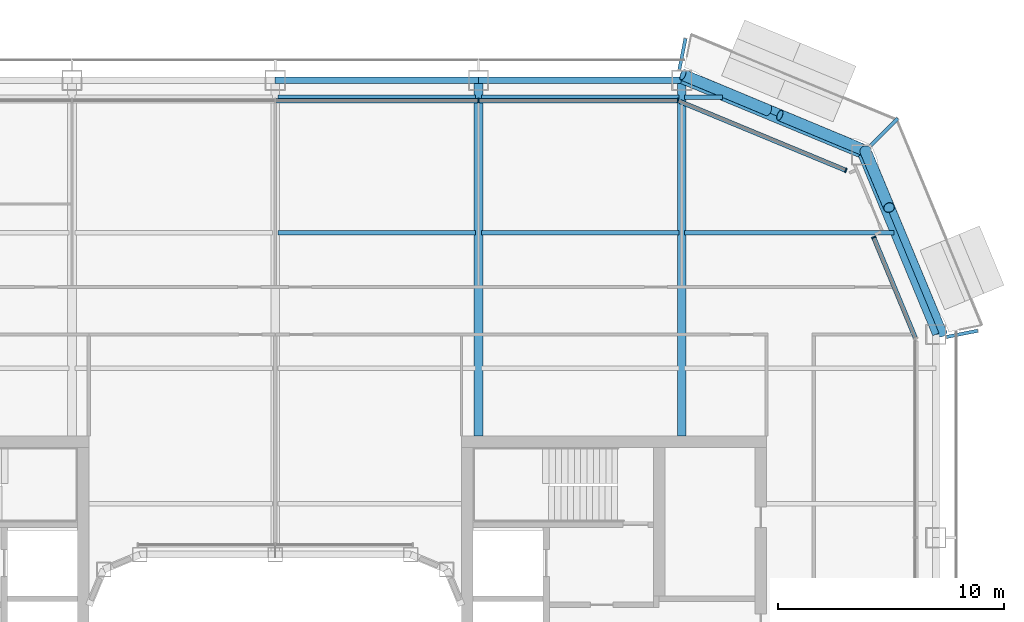
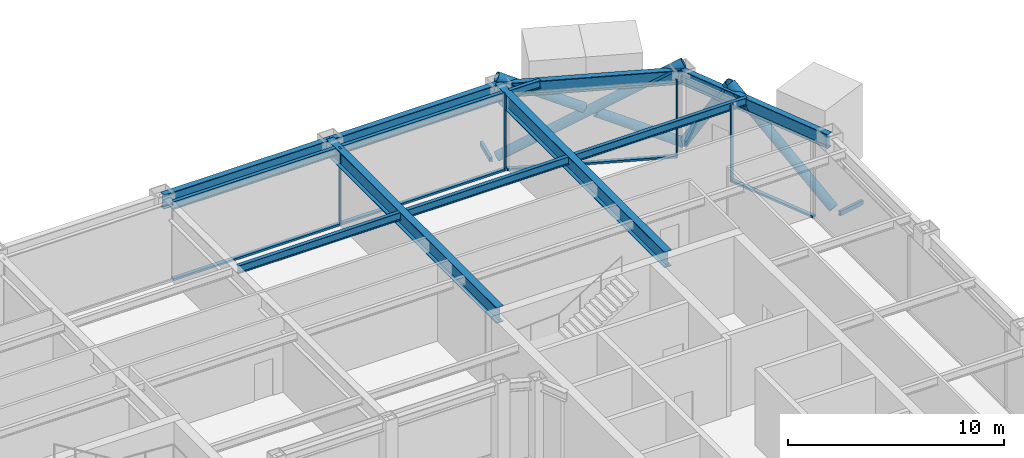
# One storey, part 9 of 23: 15 beams, 13 members, 3 elements without a shape of their own.
"""IFC4 building model written with IfcOpenShell, lengths in metres."""

from ifc_helpers import new_model, si_unit, direction, frame, origin, origin_2d, place, context, subcontext, project, spatial, rectangle, hollow_rectangle, hollow_circle, i_section, extrude, material, layer, layer_set, material_profile, profile_set, type_object, element, aggregate, save


model = new_model("IFC4")

# Units and contexts
model_context = context("Model", 3, precision=1e-05, world=origin(), true_north=direction((0.0, 1.0)))
body_context = subcontext(model_context, "Body", "Model", "MODEL_VIEW")
ifc_project = project(units=[si_unit("LENGTHUNIT", "METRE"), si_unit("AREAUNIT", "SQUARE_METRE"), si_unit("VOLUMEUNIT", "CUBIC_METRE"), si_unit("PLANEANGLEUNIT", "RADIAN"), si_unit("MASSUNIT", "GRAM", prefix="KILO")], contexts=[model_context])

# Site, building, storey
site_placement = place(None, origin())
site = spatial("IfcSite", under=ifc_project, at=site_placement, CompositionType="ELEMENT")
building_placement = place(site_placement, origin())
building = spatial("IfcBuilding", under=site, at=building_placement, Name="Siwar Civic Tower", CompositionType="ELEMENT")
storey_placement = place(building_placement, frame((0.0, 0.0, 167.699951171875)))
storey = spatial("IfcBuildingStorey", under=building, at=storey_placement, Name="L36", CompositionType="ELEMENT", Elevation=167.699951171875)

# Beams
ifc_material_1 = material(Name="Steel S355", Category="steel")
ifc_material_profile_1 = material_profile(ifc_material_1, hollow_rectangle(XDim=0.14990234375, YDim=0.25, WallThickness=0.010009765625, at=origin_2d()), Name="RHS250x150x10")
ifc_profile_set_1 = profile_set([ifc_material_profile_1], Name="Steel S355")
beam_type_1 = type_object("IfcBeamType", Name="ENV-BALCONY ARM", PredefinedType="BEAM", material=ifc_profile_set_1)
beam_1_placement = place(storey_placement, frame((29.709716796875, 17.887451171875, -0.27490234375), z_axis=(0.980765118081, 0.195191657493, 0.0), x_axis=(-0.195191657493, 0.980765118081, 0.0)))
element("IfcBeam", 1, at=beam_1_placement, inside=storey, type_object=beam_type_1, Name="Balcony cantilever beam NE 1", PredefinedType="BEAM", context=body_context, shape_type="SweptSolid", body=[
    extrude(hollow_rectangle(XDim=0.14990234375, YDim=0.25, WallThickness=0.010009765625, at=origin_2d()), origin(), (0.0, 0.0, 1.0), 1.422119140625),
])
beam_2_placement = place(storey_placement, frame((26.36962890625, 26.36962890625, -0.27490234375), z_axis=(0.707106781187, 0.707106781187, 0.0), x_axis=(-0.707106781187, 0.707106781187, 0.0)))
element("IfcBeam", 2, at=beam_2_placement, inside=storey, type_object=beam_type_1, Name="Balcony cantilever beam NE 2", PredefinedType="BEAM", context=body_context, shape_type="SweptSolid", body=[
    extrude(hollow_rectangle(XDim=0.14990234375, YDim=0.25, WallThickness=0.010009765625, at=origin_2d()), origin(), (0.0, 0.0, 1.0), 1.6865234375),
])
beam_3_placement = place(storey_placement, frame((17.887451171875, 29.709716796875, -0.27490234375), z_axis=(0.195191657493, 0.980765118081, 0.0), x_axis=(-0.980765118081, 0.195191657493, 0.0)))
element("IfcBeam", 3, at=beam_3_placement, inside=storey, type_object=beam_type_1, Name="Balcony cantilever beam NE 3", PredefinedType="BEAM", context=body_context, shape_type="SweptSolid", body=[
    extrude(hollow_rectangle(XDim=0.14990234375, YDim=0.25, WallThickness=0.010009765625, at=origin_2d()), origin(), (0.0, 0.0, 1.0), 1.422119140625),
])

# Curtain wall, member
ifc_material_2 = material(Name="Aluminium clad insulated panel", Category="aluminium")
ifc_layer_1 = layer(ifc_material_2, 0.199951171875)
ifc_layer_set_1 = layer_set([ifc_layer_1], Name="Aluminium clad insulated panel")
curtain_wall_type_1 = type_object("IfcCurtainWallType", Name="ENV-CW-BX", PredefinedType="NOTDEFINED", material=ifc_layer_set_1)
curtain_wall_1_placement = place(storey_placement, origin())
curtain_wall_1 = element("IfcCurtainWall", 4, at=curtain_wall_1_placement, inside=storey, type_object=curtain_wall_type_1, Name="Curtain wall B NE1", PredefinedType="NOTDEFINED")
ifc_material_3 = material(Name="Aluminium 6063-T6", Category="aluminium")
ifc_material_profile_2 = material_profile(ifc_material_3, rectangle(XDim=0.199951171875, YDim=0.06494140625, at=origin_2d()), Name="AL 200x65")
ifc_profile_set_2 = profile_set([ifc_material_profile_2], Name="Aluminium 6063-T6")
member_type_1 = type_object("IfcMemberType", Name="ENV-MULLION-B", PredefinedType="MULLION", material=ifc_profile_set_2)
member_1_placement = place(storey_placement, frame((26.4951171875, 22.299072265625, 0.0), z_axis=(0.0, 0.0, 1.0), x_axis=(-0.923879532511, -0.382683432365, 0.0)))
member_1 = element("IfcMember", 5, at=member_1_placement, type_object=member_type_1, Name="Mullion B NE1 2", PredefinedType="MULLION", context=body_context, shape_type="SweptSolid", body=[
    extrude(rectangle(XDim=0.199951171875, YDim=0.06494140625, at=origin_2d()), origin(), (0.0, 0.0, 1.0), 4.35009765625),
])

curtain_wall_2_placement = place(storey_placement, origin())
curtain_wall_2 = element("IfcCurtainWall", 6, at=curtain_wall_2_placement, inside=storey, type_object=curtain_wall_type_1, Name="Curtain wall B NE2", PredefinedType="NOTDEFINED")
member_2_placement = place(storey_placement, frame((25.26611328125, 25.26611328125, 0.0), z_axis=(0.0, 0.0, 1.0), x_axis=(-0.382683432365, -0.923879532511, 0.0)))
member_2 = element("IfcMember", 7, at=member_2_placement, type_object=member_type_1, Name="Mullion B NE2 1", PredefinedType="MULLION", context=body_context, shape_type="SweptSolid", body=[
    extrude(rectangle(XDim=0.199951171875, YDim=0.06494140625, at=origin_2d()), origin(), (0.0, 0.0, 1.0), 4.35009765625),
])

# Curtain wall, members
ifc_material_4 = material(Name="Aluminium and glass", Category="aluminium")
ifc_layer_2 = layer(ifc_material_4, 0.199951171875)
ifc_layer_set_2 = layer_set([ifc_layer_2], Name="Aluminium and glass")
curtain_wall_type_2 = type_object("IfcCurtainWallType", Name="ENV-CW-B", PredefinedType="NOTDEFINED", material=ifc_layer_set_2)
curtain_wall_3_placement = place(storey_placement, origin())
curtain_wall_3 = element("IfcCurtainWall", 8, at=curtain_wall_3_placement, inside=storey, type_object=curtain_wall_type_2, Name="Curtain wall B N", PredefinedType="NOTDEFINED")
member_3_placement = place(storey_placement, frame((17.821044921875, 28.35009765625, 0.0), z_axis=(0.0, 0.0, 1.0), x_axis=(0.0, -1.0, 0.0)))
member_3 = element("IfcMember", 9, at=member_3_placement, type_object=member_type_1, Name="Mullion B N 1", PredefinedType="MULLION", context=body_context, shape_type="SweptSolid", body=[
    extrude(rectangle(XDim=0.199951171875, YDim=0.06494140625, at=origin_2d()), origin(), (0.0, 0.0, 1.0), 4.35009765625),
])
member_4_placement = place(storey_placement, frame((9.0, 28.35009765625, 0.0), z_axis=(0.0, 0.0, 1.0), x_axis=(0.0, -1.0, 0.0)))
member_4 = element("IfcMember", 10, at=member_4_placement, type_object=member_type_1, Name="Mullion B N 2", PredefinedType="MULLION", context=body_context, shape_type="SweptSolid", body=[
    extrude(rectangle(XDim=0.199951171875, YDim=0.06494140625, at=origin_2d()), origin(), (0.0, 0.0, 1.0), 4.35009765625),
])

# Member
ifc_material_5 = material(Name="Aluminium 6063-T6", Category="aluminium")
ifc_material_profile_3 = material_profile(ifc_material_5, rectangle(XDim=0.199951171875, YDim=0.110107421875, at=origin_2d()), Name="AL 200x110")
ifc_profile_set_3 = profile_set([ifc_material_profile_3], Name="Aluminium 6063-T6")
member_type_2 = type_object("IfcMemberType", Name="ENV-TRANSOM-B", PredefinedType="USERDEFINED", material=ifc_profile_set_3)
member_5_placement = place(storey_placement, frame((28.337646484375, 17.85107421875, 0.054931640625), z_axis=(-0.382700487371, 0.923872467912, 0.0), x_axis=(-0.923872467912, -0.382700487371, 0.0)))
member_5 = element("IfcMember", 11, at=member_5_placement, type_object=member_type_2, Name="Transom B NE1 1", ObjectType="TRANSOM", PredefinedType="USERDEFINED", context=body_context, shape_type="SweptSolid", body=[
    extrude(rectangle(XDim=0.199951171875, YDim=0.110107421875, at=origin_2d()), origin(), (0.0, 0.0, 1.0), 4.781982421875),
])

aggregate(curtain_wall_1, [member_1, member_5])

member_6_placement = place(storey_placement, frame((25.236083984375, 25.278564453125, 0.054931640625), z_axis=(-0.923883705044, 0.382673358825, 0.0), x_axis=(-0.382673358825, -0.923883705044, 0.0)))
member_6 = element("IfcMember", 12, at=member_6_placement, type_object=member_type_2, Name="Transom B NE2 1", ObjectType="TRANSOM", PredefinedType="USERDEFINED", context=body_context, shape_type="SweptSolid", body=[
    extrude(rectangle(XDim=0.199951171875, YDim=0.110107421875, at=origin_2d()), origin(), (0.0, 0.0, 1.0), 7.912353515625),
])

aggregate(curtain_wall_2, [member_2, member_6])

member_7_placement = place(storey_placement, frame((17.78857421875, 28.35009765625, 0.054931640625), z_axis=(-1.0, 0.0, 0.0), x_axis=(0.0, -1.0, 0.0)))
member_7 = element("IfcMember", 13, at=member_7_placement, type_object=member_type_2, Name="Transom B N 1", ObjectType="TRANSOM", PredefinedType="USERDEFINED", context=body_context, shape_type="SweptSolid", body=[
    extrude(rectangle(XDim=0.199951171875, YDim=0.110107421875, at=origin_2d()), origin(), (0.0, 0.0, 1.0), 8.756103515625),
])

member_8_placement = place(storey_placement, frame((8.967529296875, 28.35009765625, 0.054931640625), z_axis=(-1.0, 0.0, 0.0), x_axis=(0.0, -1.0, 0.0)))
member_8 = element("IfcMember", 14, at=member_8_placement, type_object=member_type_2, Name="Transom B N 2", ObjectType="TRANSOM", PredefinedType="USERDEFINED", context=body_context, shape_type="SweptSolid", body=[
    extrude(rectangle(XDim=0.199951171875, YDim=0.110107421875, at=origin_2d()), origin(), (0.0, 0.0, 1.0), 8.93505859375),
])

aggregate(curtain_wall_3, [member_3, member_4, member_7, member_8])

# Members
ifc_material_6 = material(Name="Steel S355", Category="steel")
ifc_material_profile_4 = material_profile(ifc_material_6, hollow_circle(Radius=0.25390625, WallThickness=0.02490234375, at=origin_2d()), Name="CHS508x25")
ifc_profile_set_4 = profile_set([ifc_material_profile_4], Name="Steel S355")
member_type_3 = type_object("IfcMemberType", Name="STR-BR-CHS508x25", PredefinedType="BRACE", material=ifc_profile_set_4)
member_9_placement = place(storey_placement, frame((18.048828125, 29.4951171875, 0.0), z_axis=(0.821142553604, -0.341671493852, 0.457149315816), x_axis=(0.384163874976, 0.923264922524, 0.0)))
element("IfcMember", 15, at=member_9_placement, inside=storey, type_object=member_type_3, Name="L36/brc/BNE1-15-0-1", PredefinedType="BRACE", context=body_context, shape_type="SweptSolid", body=[
    extrude(hollow_circle(Radius=0.25390625, WallThickness=0.02490234375, at=origin_2d()), origin(), (0.0, 0.0, 1.0), 9.843505859375),
])
member_10_placement = place(storey_placement, frame((26.1318359375, 26.1318359375, 0.0), z_axis=(-0.821143275065, 0.341662474736, 0.457154760636), x_axis=(-0.384154943021, -0.923268638995, 0.0)))
element("IfcMember", 16, at=member_10_placement, inside=storey, type_object=member_type_3, Name="L36/brc/BNE1-15-0-2", PredefinedType="BRACE", context=body_context, shape_type="SweptSolid", body=[
    extrude(hollow_circle(Radius=0.25390625, WallThickness=0.02490234375, at=origin_2d()), origin(), (0.0, 0.0, 1.0), 4.61474609375),
])
member_11_placement = place(storey_placement, frame((21.837890625, 27.91845703125, 2.390625), z_axis=(-0.821145902409, 0.34168558233, 0.457132770413), x_axis=(-0.384176042158, -0.923259859753, 0.0)))
element("IfcMember", 17, at=member_11_placement, inside=storey, type_object=member_type_3, Name="L36/brc/BNE1-15-0-3", PredefinedType="BRACE", context=body_context, shape_type="SweptSolid", body=[
    extrude(hollow_circle(Radius=0.25390625, WallThickness=0.02490234375, at=origin_2d()), origin(), (0.0, 0.0, 1.0), 4.6142578125),
])
member_12_placement = place(storey_placement, frame((29.4951171875, 18.048828125, 0.0), z_axis=(-0.307903068035, 0.739973158344, 0.598026275029), x_axis=(-0.923262455747, -0.384169803352, 0.0)))
element("IfcMember", 18, at=member_12_placement, inside=storey, type_object=member_type_3, Name="L36/brc/BNE1-15-0-0", PredefinedType="BRACE", context=body_context, shape_type="SweptSolid", body=[
    extrude(hollow_circle(Radius=0.25390625, WallThickness=0.02490234375, at=origin_2d()), origin(), (0.0, 0.0, 1.0), 7.524658203125),
])
member_13_placement = place(storey_placement, frame((26.1318359375, 26.1318359375, 0.0), z_axis=(0.198925611165, -0.478099094869, 0.855482236349), x_axis=(0.92327038402, 0.384150749045, 0.0)))
element("IfcMember", 19, at=member_13_placement, inside=storey, type_object=member_type_3, Name="L36/brc/BNE1-15-0-6", PredefinedType="BRACE", context=body_context, shape_type="SweptSolid", body=[
    extrude(hollow_circle(Radius=0.25390625, WallThickness=0.02490234375, at=origin_2d()), origin(), (0.0, 0.0, 1.0), 5.26025390625),
])

# Beams
ifc_material_7 = material(Name="Steel S355", Category="steel")
ifc_material_profile_5 = material_profile(ifc_material_7, i_section(OverallWidth=0.18994140625, OverallDepth=0.449951171875, WebThickness=0.009521484375, FlangeThickness=0.0146484375, FilletRadius=0.02099609375, at=origin_2d()), Name="IPE450")
ifc_profile_set_5 = profile_set([ifc_material_profile_5], Name="Steel S355")
beam_type_2 = type_object("IfcBeamType", Name="STR-FB-IPE450", PredefinedType="JOIST", material=ifc_profile_set_5)
for number, where, z_axis, x_axis, name in (
    (20, (0.1298828125, 22.5, 4.125), (1.0, 0.0, 0.0), (0.0, 1.0, 0.0), "L36/bm/F040"),
    (21, (9.1298828125, 22.5, 4.125), (1.0, 0.0, 0.0), (0.0, 1.0, 0.0), "L36/bm/F041"),
):
    element("IfcBeam", number, at=place(storey_placement, frame(where, z_axis=z_axis, x_axis=x_axis)), inside=storey, type_object=beam_type_2, Name=name, PredefinedType="JOIST", context=body_context, shape_type="SweptSolid", body=[
        extrude(i_section(OverallWidth=0.18994140625, OverallDepth=0.449951171875, WebThickness=0.009521484375, FlangeThickness=0.0146484375, FilletRadius=0.02099609375, at=origin_2d()), origin(), (0.0, 0.0, 1.0), 8.740234375),
    ])
beam_4_placement = place(storey_placement, frame((18.1298828125, 22.5, 4.125), z_axis=(1.0, 0.0, 0.0), x_axis=(0.0, 1.0, 0.0)))
element("IfcBeam", 22, at=beam_4_placement, inside=storey, type_object=beam_type_2, Name="L36/bm/F042", PredefinedType="JOIST", context=body_context, shape_type="SweptSolid", body=[
    extrude(i_section(OverallWidth=0.18994140625, OverallDepth=0.449951171875, WebThickness=0.009521484375, FlangeThickness=0.0146484375, FilletRadius=0.02099609375, at=origin_2d()), origin(), (0.0, 0.0, 1.0), 9.256103515625),
])
for number, where, z_axis, x_axis, name in (
    (23, (0.1298828125, 28.5, 4.125), (1.0, 0.0, 0.0), (0.0, 1.0, 0.0), "L36/bm/F046"),
    (24, (9.1298828125, 28.5, 4.125), (1.0, 0.0, 0.0), (0.0, 1.0, 0.0), "L36/bm/F047"),
):
    element("IfcBeam", number, at=place(storey_placement, frame(where, z_axis=z_axis, x_axis=x_axis)), inside=storey, type_object=beam_type_2, Name=name, PredefinedType="JOIST", context=body_context, shape_type="SweptSolid", body=[
        extrude(i_section(OverallWidth=0.18994140625, OverallDepth=0.449951171875, WebThickness=0.009521484375, FlangeThickness=0.0146484375, FilletRadius=0.02099609375, at=origin_2d()), origin(), (0.0, 0.0, 1.0), 8.740234375),
    ])
beam_5_placement = place(storey_placement, frame((18.1298828125, 28.5, 4.125), z_axis=(1.0, 0.0, 0.0), x_axis=(0.0, 1.0, 0.0)))
element("IfcBeam", 25, at=beam_5_placement, inside=storey, type_object=beam_type_2, Name="L36/bm/F048", PredefinedType="JOIST", context=body_context, shape_type="SweptSolid", body=[
    extrude(i_section(OverallWidth=0.18994140625, OverallDepth=0.449951171875, WebThickness=0.009521484375, FlangeThickness=0.0146484375, FilletRadius=0.02099609375, at=origin_2d()), origin(), (0.0, 0.0, 1.0), 1.6806640625),
])
ifc_material_8 = material(Name="Steel S355", Category="steel")
ifc_material_profile_6 = material_profile(ifc_material_8, i_section(OverallWidth=0.3798828125, OverallDepth=0.89990234375, WebThickness=0.01611328125, FlangeThickness=0.035888671875, at=origin_2d()), Name="PG900x380x16x36")
ifc_profile_set_6 = profile_set([ifc_material_profile_6], Name="Steel S355")
beam_type_3 = type_object("IfcBeamType", Name="STR-PG-PG900x380x16x36", PredefinedType="BEAM", material=ifc_profile_set_6)
for number, where, z_axis, x_axis, name in (
    (26, (9.0, 13.5, 3.900146484375), (0.0, 1.0, 0.0), (-1.0, 0.0, 0.0), "L36/bm/G08"),
    (27, (18.0, 13.5, 3.900146484375), (0.0, 1.0, 0.0), (-1.0, 0.0, 0.0), "L36/bm/G10"),
):
    element("IfcBeam", number, at=place(storey_placement, frame(where, z_axis=z_axis, x_axis=x_axis)), inside=storey, type_object=beam_type_3, Name=name, PredefinedType="BEAM", context=body_context, shape_type="SweptSolid", body=[
        extrude(i_section(OverallWidth=0.3798828125, OverallDepth=0.89990234375, WebThickness=0.01611328125, FlangeThickness=0.035888671875, at=origin_2d()), origin(), (0.0, 0.0, 1.0), 15.75),
    ])
ifc_material_9 = material(Name="Steel S355", Category="steel")
ifc_material_profile_7 = material_profile(ifc_material_9, i_section(OverallWidth=0.300048828125, OverallDepth=0.800048828125, WebThickness=0.017578125, FlangeThickness=0.032958984375, FilletRadius=0.030029296875, at=origin_2d()), Name="HEB800")
ifc_profile_set_7 = profile_set([ifc_material_profile_7], Name="Steel S355")
beam_type_4 = type_object("IfcBeamType", Name="STR-SB-HEB800", PredefinedType="BEAM", material=ifc_profile_set_7)
for number, where, z_axis, x_axis, name in (
    (28, (29.25, 18.0, 3.949951171875), (-0.382699877515, 0.923872720536, 0.0), (-0.923872720536, -0.382699877515, 0.0), "L36/bm/SNE1-0"),
    (29, (25.954833984375, 25.954833984375, 3.949951171875), (-0.923872720536, 0.382699877515, 0.0), (-0.382699877515, -0.923872720536, 0.0), "L36/bm/SNE2-0"),
):
    element("IfcBeam", number, at=place(storey_placement, frame(where, z_axis=z_axis, x_axis=x_axis)), inside=storey, type_object=beam_type_4, Name=name, PredefinedType="BEAM", context=body_context, shape_type="SweptSolid", body=[
        extrude(i_section(OverallWidth=0.300048828125, OverallDepth=0.800048828125, WebThickness=0.017578125, FlangeThickness=0.032958984375, FilletRadius=0.030029296875, at=origin_2d()), origin(), (0.0, 0.0, 1.0), 8.6103515625),
    ])
for number, where, z_axis, x_axis, name in (
    (30, (18.0, 29.25, 3.949951171875), (-1.0, 0.0, 0.0), (0.0, -1.0, 0.0), "L36/bm/SN-0"),
    (31, (9.0, 29.25, 3.949951171875), (-1.0, 0.0, 0.0), (0.0, -1.0, 0.0), "L36/bm/SN-1"),
):
    element("IfcBeam", number, at=place(storey_placement, frame(where, z_axis=z_axis, x_axis=x_axis)), inside=storey, type_object=beam_type_4, Name=name, PredefinedType="BEAM", context=body_context, shape_type="SweptSolid", body=[
        extrude(i_section(OverallWidth=0.300048828125, OverallDepth=0.800048828125, WebThickness=0.017578125, FlangeThickness=0.032958984375, FilletRadius=0.030029296875, at=origin_2d()), origin(), (0.0, 0.0, 1.0), 9.0),
    ])

save(model, "model.ifc")
